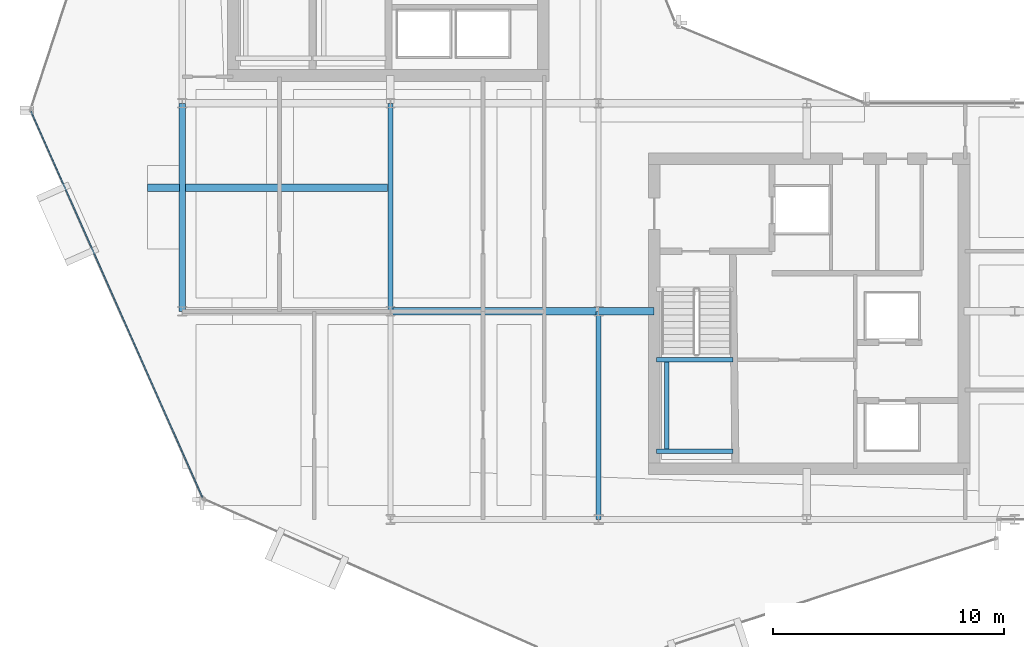
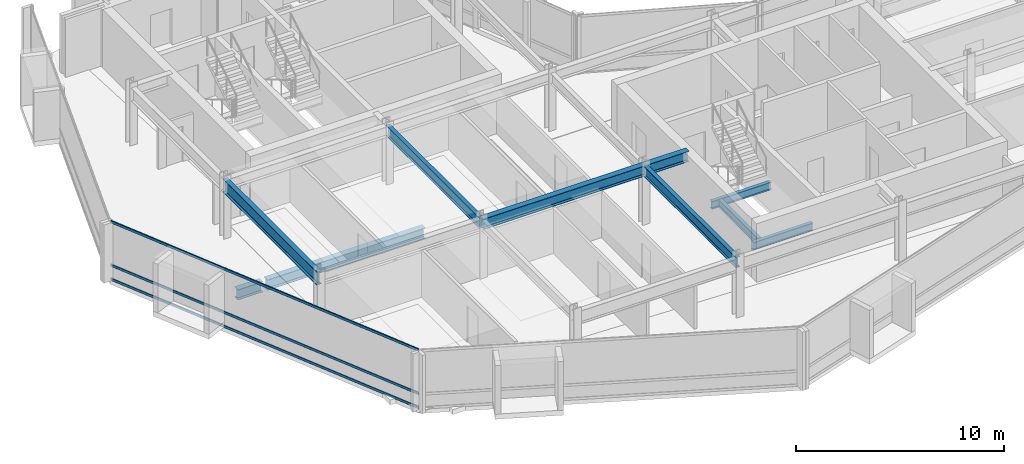
# One storey, part 5 of 27: 10 beams, 3 members, 1 element without a shape of its own.
"""IFC4 building model written with IfcOpenShell, lengths in metres."""

from ifc_helpers import new_model, si_unit, direction, frame, origin, origin_2d, place, context, subcontext, project, spatial, hollow_rectangle, i_section, extrude, material, layer, layer_set, material_profile, profile_set, type_object, element, aggregate, save


model = new_model("IFC4")

# Units and contexts
model_context = context("Model", 3, precision=1e-05, world=origin(), true_north=direction((0.0, 1.0)))
body_context = subcontext(model_context, "Body", "Model", "MODEL_VIEW")
ifc_project = project(units=[si_unit("LENGTHUNIT", "METRE"), si_unit("AREAUNIT", "SQUARE_METRE"), si_unit("VOLUMEUNIT", "CUBIC_METRE"), si_unit("PLANEANGLEUNIT", "RADIAN"), si_unit("MASSUNIT", "GRAM", prefix="KILO")], contexts=[model_context])

# Site, building, storey
site_placement = place(None, origin())
site = spatial("IfcSite", under=ifc_project, at=site_placement, CompositionType="ELEMENT")
building_placement = place(site_placement, origin())
building = spatial("IfcBuilding", under=site, at=building_placement, Name="Solvaryn Broadcast Tower", CompositionType="ELEMENT")
storey_placement = place(building_placement, frame((0.0, 0.0, 189.0)))
storey = spatial("IfcBuildingStorey", under=building, at=storey_placement, Name="L47", CompositionType="ELEMENT", Elevation=189.0)

# Beams
ifc_material_1 = material(Name="Steel ASTM A992 Grade 50", Category="steel")
ifc_material_profile_1 = material_profile(ifc_material_1, i_section(OverallWidth=0.323974609375, OverallDepth=0.611083984375, WebThickness=0.0126953125, FlangeThickness=0.01904296875, FilletRadius=0.014892578125, at=origin_2d()))
ifc_profile_set_1 = profile_set([ifc_material_profile_1], Name="Steel ASTM A992 Grade 50")
beam_type_1 = type_object("IfcBeamType", Name="BM-B1-W24X104", PredefinedType="BEAM", material=ifc_profile_set_1)
beam_1_placement = place(storey_placement, frame((17.875, 23.35009765625, -0.58544921875), z_axis=(-1.0, 0.0, 0.0), x_axis=(0.0, -1.0, 0.0)))
element("IfcBeam", 1, at=beam_1_placement, inside=storey, type_object=beam_type_1, Name="L47 Bay-Box Back-Span Beam 1", PredefinedType="BEAM", context=body_context, shape_type="SweptSolid", body=[
    extrude(i_section(OverallWidth=0.323974609375, OverallDepth=0.611083984375, WebThickness=0.0126953125, FlangeThickness=0.01904296875, FilletRadius=0.014892578125, at=origin_2d()), origin(), (0.0, 0.0, 1.0), 8.75),
])
beam_2_placement = place(storey_placement, frame((18.0, 18.0, 3.114501953125), z_axis=(1.0, 0.0, 0.0), x_axis=(0.0, 1.0, 0.0)))
element("IfcBeam", 2, at=beam_2_placement, inside=storey, type_object=beam_type_1, Name="L47 Primary Beam X (18-27 @ Y=18)", PredefinedType="BEAM", context=body_context, shape_type="SweptSolid", body=[
    extrude(i_section(OverallWidth=0.323974609375, OverallDepth=0.611083984375, WebThickness=0.0126953125, FlangeThickness=0.01904296875, FilletRadius=0.014892578125, at=origin_2d()), origin(), (0.0, 0.0, 1.0), 9.0),
])
beam_3_placement = place(storey_placement, frame((27.0, 18.0, 3.114501953125), z_axis=(1.0, 0.0, 0.0), x_axis=(0.0, 1.0, 0.0)))
element("IfcBeam", 3, at=beam_3_placement, inside=storey, type_object=beam_type_1, Name="L47 Core Tie Beam CTE4", PredefinedType="BEAM", context=body_context, shape_type="SweptSolid", body=[
    extrude(i_section(OverallWidth=0.323974609375, OverallDepth=0.611083984375, WebThickness=0.0126953125, FlangeThickness=0.01904296875, FilletRadius=0.014892578125, at=origin_2d()), origin(), (0.0, 0.0, 1.0), 2.39990234375),
])
ifc_material_2 = material(Name="Steel ASTM A992 Grade 50", Category="steel")
ifc_material_profile_2 = material_profile(ifc_material_2, i_section(OverallWidth=0.22802734375, OverallDepth=0.60791015625, WebThickness=0.01123046875, FlangeThickness=0.017333984375, FilletRadius=0.014892578125, at=origin_2d()))
ifc_profile_set_2 = profile_set([ifc_material_profile_2], Name="Steel ASTM A992 Grade 50")
beam_type_2 = type_object("IfcBeamType", Name="BM-B2-W24X76", PredefinedType="BEAM", material=ifc_profile_set_2)
for number, where, z_axis, x_axis, name in (
    (4, (18.0, 18.0, 3.115966796875), (0.0, 1.0, 0.0), (-1.0, 0.0, 0.0), "L47 Primary Beam Y (18-27 @ X=18)"),
    (5, (27.0, 9.0, 3.115966796875), (0.0, 1.0, 0.0), (-1.0, 0.0, 0.0), "L47 Primary Beam Y (9-18 @ X=27)"),
):
    element("IfcBeam", number, at=place(storey_placement, frame(where, z_axis=z_axis, x_axis=x_axis)), inside=storey, type_object=beam_type_2, Name=name, PredefinedType="BEAM", context=body_context, shape_type="SweptSolid", body=[
        extrude(i_section(OverallWidth=0.22802734375, OverallDepth=0.60791015625, WebThickness=0.01123046875, FlangeThickness=0.017333984375, FilletRadius=0.014892578125, at=origin_2d()), origin(), (0.0, 0.0, 1.0), 9.0),
    ])
ifc_material_3 = material(Name="Steel ASTM A992 Grade 50", Category="steel")
ifc_material_profile_3 = material_profile(ifc_material_3, i_section(OverallWidth=0.18994140625, OverallDepth=0.45703125, WebThickness=0.009033203125, FlangeThickness=0.014404296875, FilletRadius=0.011962890625, at=origin_2d()))
ifc_profile_set_3 = profile_set([ifc_material_profile_3], Name="Steel ASTM A992 Grade 50")
beam_type_3 = type_object("IfcBeamType", Name="BM-B4-W18X50", PredefinedType="BEAM", material=ifc_profile_set_3)
for number, where, z_axis, x_axis, name in (
    (6, (29.5, 11.949951171875, 1.42138671875), (1.0, 0.0, 0.0), (0.0, 1.0, 0.0), "L47 ST3 Landing Support Beam 1A"),
    (7, (29.5, 15.909912109375, 1.42138671875), (1.0, 0.0, 0.0), (0.0, 1.0, 0.0), "L47 ST3 Landing Support Beam 1B"),
):
    element("IfcBeam", number, at=place(storey_placement, frame(where, z_axis=z_axis, x_axis=x_axis)), inside=storey, type_object=beam_type_3, Name=name, PredefinedType="BEAM", context=body_context, shape_type="SweptSolid", body=[
        extrude(i_section(OverallWidth=0.18994140625, OverallDepth=0.45703125, WebThickness=0.009033203125, FlangeThickness=0.014404296875, FilletRadius=0.011962890625, at=origin_2d()), origin(), (0.0, 0.0, 1.0), 3.320068359375),
    ])
beam_4_placement = place(storey_placement, frame((29.949951171875, 11.949951171875, 1.42138671875), z_axis=(0.0, 1.0, 0.0), x_axis=(-1.0, 0.0, 0.0)))
element("IfcBeam", 8, at=beam_4_placement, inside=storey, type_object=beam_type_3, Name="L47 ST3 Landing Cross Stringer 1C", PredefinedType="BEAM", context=body_context, shape_type="SweptSolid", body=[
    extrude(i_section(OverallWidth=0.18994140625, OverallDepth=0.45703125, WebThickness=0.009033203125, FlangeThickness=0.014404296875, FilletRadius=0.011962890625, at=origin_2d()), origin(), (0.0, 0.0, 1.0), 3.9599609375),
])
ifc_material_4 = material(Name="Steel ASTM A992 Grade 50", Category="steel")
ifc_material_profile_4 = material_profile(ifc_material_4, i_section(OverallWidth=0.323974609375, OverallDepth=0.611083984375, WebThickness=0.0126953125, FlangeThickness=0.01904296875, FilletRadius=0.014892578125, at=origin_2d()))
ifc_profile_set_4 = profile_set([ifc_material_profile_4], Name="Steel ASTM A992 Grade 50")
beam_type_4 = type_object("IfcBeamType", Name="BM-CANT-TER", PredefinedType="BEAM", material=ifc_profile_set_4)
beam_5_placement = place(storey_placement, frame((8.875, 23.35009765625, -0.58544921875), z_axis=(-1.0, 0.0, 0.0), x_axis=(0.0, -1.0, 0.0)))
element("IfcBeam", 9, at=beam_5_placement, inside=storey, type_object=beam_type_4, Name="L47 Bay-Box Cantilever Bracket 1", PredefinedType="BEAM", context=body_context, shape_type="SweptSolid", body=[
    extrude(i_section(OverallWidth=0.323974609375, OverallDepth=0.611083984375, WebThickness=0.0126953125, FlangeThickness=0.01904296875, FilletRadius=0.014892578125, at=origin_2d()), origin(), (0.0, 0.0, 1.0), 1.375),
])
ifc_material_5 = material(Name="Steel ASTM A992 Grade 50", Category="steel")
ifc_material_profile_5 = material_profile(ifc_material_5, i_section(OverallWidth=0.26708984375, OverallDepth=0.76611328125, WebThickness=0.014892578125, FlangeThickness=0.023681640625, FilletRadius=0.01806640625, at=origin_2d()))
ifc_profile_set_5 = profile_set([ifc_material_profile_5], Name="Steel ASTM A992 Grade 50")
beam_type_5 = type_object("IfcBeamType", Name="BM-SP2-W30X124", PredefinedType="USERDEFINED", material=ifc_profile_set_5)
beam_6_placement = place(storey_placement, frame((9.0, 18.0, 3.037109375), z_axis=(0.0, 1.0, 0.0), x_axis=(-1.0, 0.0, 0.0)))
element("IfcBeam", 10, at=beam_6_placement, inside=storey, type_object=beam_type_5, Name="L47 Spandrel Beam Y (18-27 @ X=9)", ObjectType="SPANDREL", PredefinedType="USERDEFINED", context=body_context, shape_type="SweptSolid", body=[
    extrude(i_section(OverallWidth=0.26708984375, OverallDepth=0.76611328125, WebThickness=0.014892578125, FlangeThickness=0.023681640625, FilletRadius=0.01806640625, at=origin_2d()), origin(), (0.0, 0.0, 1.0), 9.0),
])

# Curtain wall, members
ifc_material_6 = material(Name="Aluminium and Terracotta Unitised Curtain Wall", Category="masonry")
ifc_layer = layer(ifc_material_6, 0.199951171875)
ifc_layer_set = layer_set([ifc_layer], Name="CW-SYS2-LOWMID")
curtain_wall_type = type_object("IfcCurtainWallType", Name="CW-SYS2-LOWMID", PredefinedType="NOTDEFINED", material=ifc_layer_set)
curtain_wall_placement = place(storey_placement, origin())
curtain_wall = element("IfcCurtainWall", 11, at=curtain_wall_placement, inside=storey, type_object=curtain_wall_type, Name="L47 Curtain Wall DR2", PredefinedType="NOTDEFINED")
ifc_material_7 = material(Name="Anodised Aluminium 6063-T6", Category="aluminium")
ifc_material_profile_6 = material_profile(ifc_material_7, hollow_rectangle(XDim=0.06494140625, YDim=0.14990234375, WallThickness=0.00390625, InnerFilletRadius=0.00390625, OuterFilletRadius=0.008056640625, at=origin_2d()))
ifc_profile_set_6 = profile_set([ifc_material_profile_6], Name="Anodised Aluminium 6063-T6")
member_type = type_object("IfcMemberType", Name="CW-TRN-150", PredefinedType="USERDEFINED", material=ifc_profile_set_6)
member_1_placement = place(storey_placement, frame((2.457275390625, 26.651123046875, 0.030029296875), z_axis=(0.405901653299, -0.913916761992, 0.0), x_axis=(0.913916761992, 0.405901653299, 0.0)))
member_1 = element("IfcMember", 12, at=member_1_placement, type_object=member_type, Name="CWS2 transom 1.1", ObjectType="TRANSOM", PredefinedType="USERDEFINED", context=body_context, shape_type="SweptSolid", body=[
    extrude(hollow_rectangle(XDim=0.06494140625, YDim=0.14990234375, WallThickness=0.00390625, InnerFilletRadius=0.00390625, OuterFilletRadius=0.008056640625, at=origin_2d()), origin(), (0.0, 0.0, 1.0), 18.27099609375),
])
member_2_placement = place(storey_placement, frame((2.457275390625, 26.651123046875, 0.85009765625), z_axis=(0.405901653299, -0.913916761992, 0.0), x_axis=(0.913916761992, 0.405901653299, 0.0)))
member_2 = element("IfcMember", 13, at=member_2_placement, type_object=member_type, Name="CWS2 transom 1.2", ObjectType="TRANSOM", PredefinedType="USERDEFINED", context=body_context, shape_type="SweptSolid", body=[
    extrude(hollow_rectangle(XDim=0.06494140625, YDim=0.14990234375, WallThickness=0.00390625, InnerFilletRadius=0.00390625, OuterFilletRadius=0.008056640625, at=origin_2d()), origin(), (0.0, 0.0, 1.0), 18.27099609375),
])
member_3_placement = place(storey_placement, frame((2.457275390625, 26.651123046875, 3.389892578125), z_axis=(0.405901653299, -0.913916761992, 0.0), x_axis=(0.913916761992, 0.405901653299, 0.0)))
member_3 = element("IfcMember", 14, at=member_3_placement, type_object=member_type, Name="CWS2 transom 1.3", ObjectType="TRANSOM", PredefinedType="USERDEFINED", context=body_context, shape_type="SweptSolid", body=[
    extrude(hollow_rectangle(XDim=0.06494140625, YDim=0.14990234375, WallThickness=0.00390625, InnerFilletRadius=0.00390625, OuterFilletRadius=0.008056640625, at=origin_2d()), origin(), (0.0, 0.0, 1.0), 18.27099609375),
])
aggregate(curtain_wall, [member_1, member_2, member_3])

save(model, "model.ifc")
